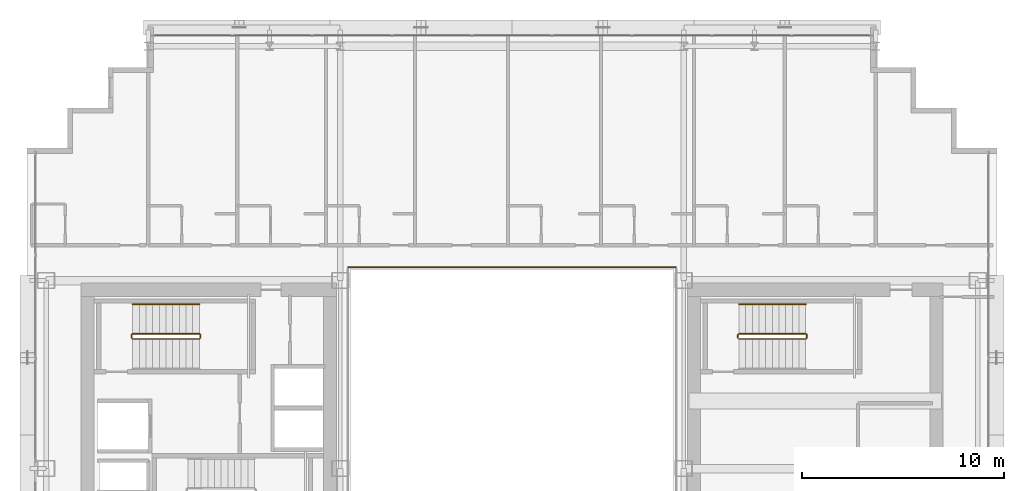
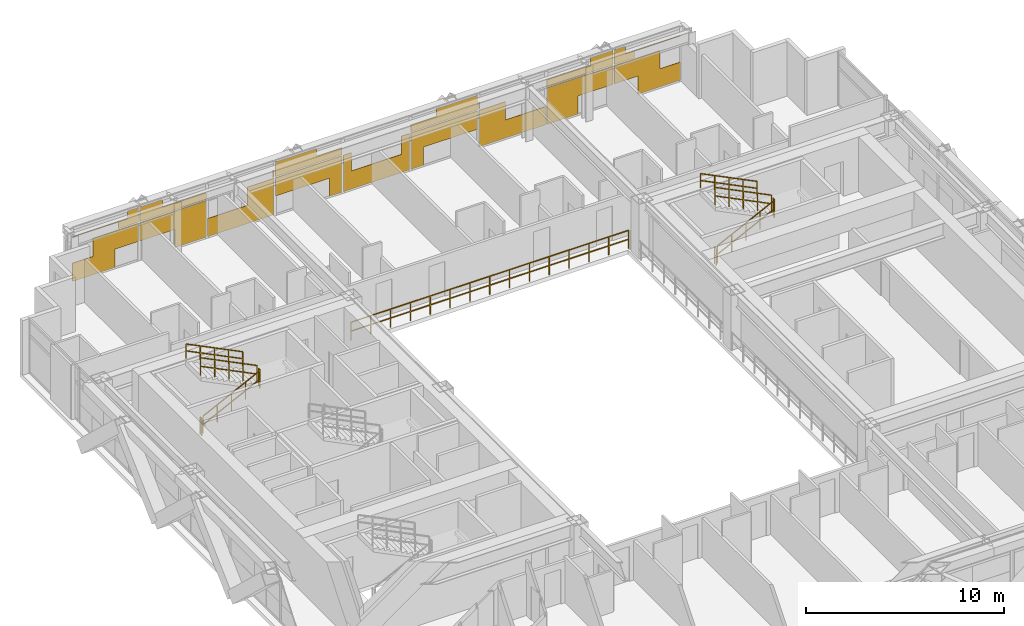
# One storey, part 36 of 36: 11 railings, 1 covering.
"""IFC4 building model written with IfcOpenShell, lengths in metres."""

import ifcopenshell
import ifcopenshell.guid

model = None  # the IFC model being written
_history = None  # IfcOwnerHistory: only IFC2X3 demands one
_inside = {}  # id of a spatial element -> (the spatial element, [elements in it])
_under = {}  # id of a project, library or spatial element -> (it, [spatial elements below it])
_declared = {}  # id of a project -> (the project, [libraries it declares])
_typed = {}  # id of a type object -> (the type object, [elements of that type])
_made_of = {}  # id of a material, layer set ... -> (it, [elements and type objects made of it])


def new_model(schema):
    """Start an empty IFC model of exactly this schema.

    Asked for "IFC4X3", IfcOpenShell would pick the latest addendum, in which some entities
    have other attributes; the version numbers below select the first issue.
    IFC2X3 requires an IfcOwnerHistory on every rooted entity: one is made here for all.
    """
    global model, _history
    if schema == "IFC4X3":
        model = ifcopenshell.file(schema_version=(4, 3, 0, 0))
    else:
        model = ifcopenshell.file(schema=schema)
    _inside.clear()
    _under.clear()
    _declared.clear()
    _typed.clear()
    _made_of.clear()
    _history = None
    if model.schema == "IFC2X3":
        org = make("IfcOrganization", Name="unknown")
        user = make(
            "IfcPersonAndOrganization",
            ThePerson=make("IfcPerson", FamilyName="unknown"),
            TheOrganization=org,
        )
        app = make(
            "IfcApplication",
            ApplicationDeveloper=org,
            Version="unknown",
            ApplicationFullName="unknown",
            ApplicationIdentifier="unknown",
        )
        _history = make(
            "IfcOwnerHistory",
            OwningUser=user,
            OwningApplication=app,
            ChangeAction="ADDED",
            CreationDate=0,
        )
    return model


def make(cls, **values):
    """One entity of the class cls with the attributes given. An attribute that is None is left unset."""
    return model.create_entity(
        cls, **{name: value for name, value in values.items() if value is not None}
    )


def rooted(cls, **values):
    """An entity with a GlobalId (a new one), such as an element, a storey or a relation."""
    return make(cls, GlobalId=ifcopenshell.guid.new(), OwnerHistory=_history, **values)


def si_unit(unit_type, name, prefix=None):
    """IfcSIUnit, for example si_unit("LENGTHUNIT", "METRE", prefix="MILLI")."""
    return make("IfcSIUnit", UnitType=unit_type, Prefix=prefix, Name=name)


def assignment(units):
    """IfcUnitAssignment: the units of a project."""
    return None if units is None else make("IfcUnitAssignment", Units=units)


def point(xyz):
    """IfcCartesianPoint."""
    return None if xyz is None else make("IfcCartesianPoint", Coordinates=xyz)


def direction(xyz):
    """IfcDirection."""
    return None if xyz is None else make("IfcDirection", DirectionRatios=xyz)


def frame(location, z_axis=None, x_axis=None):
    """IfcAxis2Placement3D, a coordinate frame: its origin and axes. An axis left out is left unset."""
    return make(
        "IfcAxis2Placement3D",
        Location=point(location),
        Axis=direction(z_axis),
        RefDirection=direction(x_axis),
    )


def frame_2d(location, x_axis=None):
    """IfcAxis2Placement2D, a coordinate frame in the plane: its origin and x axis."""
    return make(
        "IfcAxis2Placement2D", Location=point(location), RefDirection=direction(x_axis)
    )


def origin():
    """The frame at (0, 0, 0) with its axes left unset."""
    return frame((0.0, 0.0, 0.0))


def origin_2d():
    """The frame at (0, 0) in the plane with its x axis left unset."""
    return frame_2d((0.0, 0.0))


def place(relative_to, where):
    """IfcLocalPlacement: puts the frame where relative to a parent placement (None: the world)."""
    return make(
        "IfcLocalPlacement", PlacementRelTo=relative_to, RelativePlacement=where
    )


def context(
    kind, dimensions, precision=None, world=None, true_north=None, identifier=None
):
    """IfcGeometricRepresentationContext, for example the 3D "Model" context."""
    return make(
        "IfcGeometricRepresentationContext",
        ContextIdentifier=identifier,
        ContextType=kind,
        CoordinateSpaceDimension=dimensions,
        Precision=precision,
        WorldCoordinateSystem=world,
        TrueNorth=true_north,
    )


def subcontext(parent, identifier, kind, view, scale=None):
    """IfcGeometricRepresentationSubContext, for example "Body" below "Model"."""
    return make(
        "IfcGeometricRepresentationSubContext",
        ContextIdentifier=identifier,
        ContextType=kind,
        ParentContext=parent,
        TargetScale=scale,
        TargetView=view,
    )


def project(units=None, contexts=None):
    """IfcProject with its units and contexts."""
    return rooted(
        "IfcProject",
        Name="project",
        RepresentationContexts=contexts,
        UnitsInContext=assignment(units),
    )


def spatial(cls, under=None, at=None, **own):
    """A site, building, storey or space (cls), placed at a placement, below another one or the project."""
    s = rooted(cls, ObjectPlacement=at, **own)
    if under is not None:
        _under.setdefault(under.id(), (under, []))[1].append(s)
    return s


def profile(cls, at=None, kind="AREA", **sizes):
    """A parametric profile (cls). Its sizes go by their IFC names, for example OverallWidth=200.0."""
    return make(cls, ProfileType=kind, Position=at, **sizes)


def rectangle(**sizes):
    """IfcRectangleProfileDef."""
    return profile("IfcRectangleProfileDef", **sizes)


def extrude(swept, where, along, depth):
    """IfcExtrudedAreaSolid: the profile swept, set in the frame where, extruded along a direction by depth."""
    return make(
        "IfcExtrudedAreaSolid",
        SweptArea=swept,
        Position=where,
        ExtrudedDirection=direction(along),
        Depth=depth,
    )


def shape(context_of_items, identifier, shape_type, items):
    """IfcShapeRepresentation: the items that make up one representation, for example the "Body"."""
    return make(
        "IfcShapeRepresentation",
        ContextOfItems=context_of_items,
        RepresentationIdentifier=identifier,
        RepresentationType=shape_type,
        Items=items,
    )


def material(Name=None, Category=None):
    """IfcMaterial."""
    return make("IfcMaterial", Name=Name, Category=Category)


def layer(
    of_material, thickness, ventilated=None, Name=None, Category=None, Priority=None
):
    """IfcMaterialLayer: one layer of a wall or slab, of a material (None: an air gap)."""
    return make(
        "IfcMaterialLayer",
        Material=of_material,
        LayerThickness=thickness,
        IsVentilated=ventilated,
        Name=Name,
        Category=Category,
        Priority=Priority,
    )


def layer_set(layers, Name=None):
    """IfcMaterialLayerSet."""
    return make("IfcMaterialLayerSet", MaterialLayers=layers, LayerSetName=Name)


def made_of(thing, what):
    """Note that an element or type object is made of a material, layer set ...; save() writes the relation."""
    if what is not None:
        _made_of.setdefault(what.id(), (what, []))[1].append(thing)
    return thing


def type_object(cls, material=None, **own):
    """A type object (cls), such as IfcWallType, which elements share."""
    return made_of(rooted(cls, **own), material)


def element(
    cls,
    number,
    at=None,
    inside=None,
    cuts=None,
    type_object=None,
    material=None,
    context=None,
    identifier="Body",
    shape_type=None,
    held_by="IfcProductDefinitionShape",
    body=None,
    shapes=None,
    **own,
):
    """One element of the class cls, such as IfcWall. Its Tag is "e" and its number.

    at: its placement. inside: the storey or other place that contains it. cuts: it is an
    opening in that element (IfcRelVoidsElement). A single representation is given by context,
    identifier, shape_type and body (its items); several are given by shapes. held_by: the class
    of the entity that holds the representations. save() writes the other relations.
    """
    e = rooted(cls, Tag="e%d" % number, ObjectPlacement=at, **own)
    if body is not None:
        shapes = [shape(context, identifier, shape_type, body)]
    if shapes is not None:
        e.Representation = make(held_by, Representations=shapes)
    if inside is not None:
        _inside.setdefault(inside.id(), (inside, []))[1].append(e)
    if cuts is not None:
        rooted(
            "IfcRelVoidsElement", RelatingBuildingElement=cuts, RelatedOpeningElement=e
        )
    if type_object is not None:
        _typed.setdefault(type_object.id(), (type_object, []))[1].append(e)
    return made_of(e, material)


def aggregate(whole, parts):
    """IfcRelAggregates: a whole, such as a stair, and the parts it consists of."""
    return rooted("IfcRelAggregates", RelatingObject=whole, RelatedObjects=parts)


def save(model, path):
    """Write the relations noted so far, then the file.

    IfcRelAggregates (storeys below a building ...), IfcRelContainedInSpatialStructure (elements
    in a storey), IfcRelDefinesByType, IfcRelAssociatesMaterial and IfcRelDeclares: one each for
    every whole, place, type object, material and project.
    """
    for whole, parts in _under.values():
        aggregate(whole, parts)
    for where, things in _inside.values():
        rooted(
            "IfcRelContainedInSpatialStructure",
            RelatedElements=things,
            RelatingStructure=where,
        )
    for kind, things in _typed.values():
        rooted("IfcRelDefinesByType", RelatedObjects=things, RelatingType=kind)
    for what, things in _made_of.values():
        rooted("IfcRelAssociatesMaterial", RelatedObjects=things, RelatingMaterial=what)
    for by, libraries in _declared.values():
        rooted("IfcRelDeclares", RelatingContext=by, RelatedDefinitions=libraries)
    model.write(path)


model = new_model("IFC4")

# Units and contexts
model_context = context("Model", 3, precision=1e-05, world=origin(), true_north=direction((0.0, 1.0)))
body_context = subcontext(model_context, "Body", "Model", "MODEL_VIEW")
ifc_project = project(units=[si_unit("LENGTHUNIT", "METRE"), si_unit("AREAUNIT", "SQUARE_METRE"), si_unit("VOLUMEUNIT", "CUBIC_METRE"), si_unit("PLANEANGLEUNIT", "RADIAN"), si_unit("MASSUNIT", "GRAM", prefix="KILO")], contexts=[model_context])

# Site, building, storey
site_placement = place(None, origin())
site = spatial("IfcSite", under=ifc_project, at=site_placement, CompositionType="ELEMENT")
building_placement = place(site_placement, origin())
building = spatial("IfcBuilding", under=site, at=building_placement, Name="Ocotamira Hotel", CompositionType="ELEMENT")
storey_placement = place(building_placement, frame((0.0, 0.0, 133.199951171875)))
storey = spatial("IfcBuildingStorey", under=building, at=storey_placement, Name="L33", CompositionType="ELEMENT", Elevation=133.199951171875)

# Covering
ifc_material_1 = material(Name="Insulated pale-metal aluminium spandrel panel", Category="aluminium")
ifc_layer = layer(ifc_material_1, 0.044921875)
ifc_layer_set = layer_set([ifc_layer], Name="Insulated pale-metal aluminium spandrel panel")
covering_type = type_object("IfcCoveringType", Name="COV-INFILL-45", PredefinedType="CLADDING", material=ifc_layer_set)
covering_placement = place(storey_placement, origin())
element("IfcCovering", 1, at=covering_placement, inside=storey, type_object=covering_type, Name="L33 Curtain Wall Infill CW-3 CW-L33-N", PredefinedType="CLADDING", context=body_context, shape_type="SweptSolid", body=[
    extrude(rectangle(XDim=2.464111328125, YDim=0.044921875, at=origin_2d()), frame((15.512451171875, 49.580078125, 0.07568359375), z_axis=(0.0, 0.0, 1.0), x_axis=(1.0, 0.0, 0.0)), (0.0, 0.0, 1.0), 1.117919921875),
    extrude(rectangle(XDim=2.650146484375, YDim=0.044921875, at=origin_2d()), frame((16.7900390625, 49.580078125, 1.1943359375), z_axis=(0.0, 0.0, 1.0), x_axis=(1.0, 0.0, 0.0)), (0.0, 0.0, 1.0), 1.11767578125),
    extrude(rectangle(XDim=3.834716796875, YDim=0.044921875, at=origin_2d()), frame((16.19775390625, 49.580078125, 2.78271484375), z_axis=(0.0, 0.0, 1.0), x_axis=(1.0, 0.0, 0.0)), (0.0, 0.0, 1.0), 0.0302734375),
    extrude(rectangle(XDim=1.157958984375, YDim=0.044921875, at=origin_2d()), frame((17.5361328125, 49.580078125, 2.38818359375), z_axis=(0.0, 0.0, 1.0), x_axis=(1.0, 0.0, 0.0)), (0.0, 0.0, 1.0), 0.3935546875),
    extrude(rectangle(XDim=0.625732421875, YDim=0.044921875, at=origin_2d()), frame((17.80224609375, 49.580078125, 2.813720703125), z_axis=(0.0, 0.0, 1.0), x_axis=(1.0, 0.0, 0.0)), (0.0, 0.0, 1.0), 0.470703125),
    extrude(rectangle(XDim=3.87451171875, YDim=0.044921875, at=origin_2d()), frame((20.13330078125, 49.580078125, 1.1943359375), z_axis=(0.0, 0.0, 1.0), x_axis=(1.0, 0.0, 0.0)), (0.0, 0.0, 1.0), 1.11767578125),
    extrude(rectangle(XDim=1.815185546875, YDim=0.044921875, at=origin_2d()), frame((21.1630859375, 49.580078125, 0.07568359375), z_axis=(0.0, 0.0, 1.0), x_axis=(1.0, 0.0, 0.0)), (0.0, 0.0, 1.0), 1.117919921875),
    extrude(rectangle(XDim=3.87451171875, YDim=0.044921875, at=origin_2d()), frame((20.13330078125, 49.580078125, 2.387939453125), z_axis=(0.0, 0.0, 1.0), x_axis=(1.0, 0.0, 0.0)), (0.0, 0.0, 1.0), 0.4248046875),
    extrude(rectangle(XDim=1.314697265625, YDim=0.044921875, at=origin_2d()), frame((18.853515625, 49.580078125, 2.813720703125), z_axis=(0.0, 0.0, 1.0), x_axis=(1.0, 0.0, 0.0)), (0.0, 0.0, 1.0), 0.470703125),
    extrude(rectangle(XDim=3.87451171875, YDim=0.044921875, at=origin_2d()), frame((24.0888671875, 49.580078125, 0.07568359375), z_axis=(0.0, 0.0, 1.0), x_axis=(1.0, 0.0, 0.0)), (0.0, 0.0, 1.0), 1.117919921875),
    extrude(rectangle(XDim=1.561279296875, YDim=0.044921875, at=origin_2d()), frame((25.24560546875, 49.580078125, 1.1943359375), z_axis=(0.0, 0.0, 1.0), x_axis=(1.0, 0.0, 0.0)), (0.0, 0.0, 1.0), 1.11767578125),
    extrude(rectangle(XDim=0.069091796875, YDim=0.044921875, at=origin_2d()), frame((25.99169921875, 49.580078125, 2.387939453125), z_axis=(0.0, 0.0, 1.0), x_axis=(1.0, 0.0, 0.0)), (0.0, 0.0, 1.0), 0.4248046875),
    extrude(rectangle(XDim=3.87451171875, YDim=0.044921875, at=origin_2d()), frame((28.04443359375, 49.580078125, 1.1943359375), z_axis=(0.0, 0.0, 1.0), x_axis=(1.0, 0.0, 0.0)), (0.0, 0.0, 1.0), 1.11767578125),
    extrude(rectangle(XDim=0.726318359375, YDim=0.044921875, at=origin_2d()), frame((29.61865234375, 49.580078125, 0.07568359375), z_axis=(0.0, 0.0, 1.0), x_axis=(1.0, 0.0, 0.0)), (0.0, 0.0, 1.0), 1.117919921875),
    extrude(rectangle(XDim=3.87451171875, YDim=0.044921875, at=origin_2d()), frame((28.04443359375, 49.580078125, 2.387939453125), z_axis=(0.0, 0.0, 1.0), x_axis=(1.0, 0.0, 0.0)), (0.0, 0.0, 1.0), 0.4248046875),
    extrude(rectangle(XDim=2.403564453125, YDim=0.044921875, at=origin_2d()), frame((27.308837890625, 49.580078125, 2.813720703125), z_axis=(0.0, 0.0, 1.0), x_axis=(1.0, 0.0, 0.0)), (0.0, 0.0, 1.0), 0.470703125),
    extrude(rectangle(XDim=3.87451171875, YDim=0.044921875, at=origin_2d()), frame((32.0, 49.580078125, 0.07568359375), z_axis=(0.0, 0.0, 1.0), x_axis=(1.0, 0.0, 0.0)), (0.0, 0.0, 1.0), 1.117919921875),
    extrude(rectangle(XDim=0.472412109375, YDim=0.044921875, at=origin_2d()), frame((30.298828125, 49.580078125, 1.1943359375), z_axis=(0.0, 0.0, 1.0), x_axis=(1.0, 0.0, 0.0)), (0.0, 0.0, 1.0), 1.11767578125),
    extrude(rectangle(XDim=0.472412109375, YDim=0.044921875, at=origin_2d()), frame((33.701171875, 49.580078125, 1.1943359375), z_axis=(0.0, 0.0, 1.0), x_axis=(1.0, 0.0, 0.0)), (0.0, 0.0, 1.0), 1.11767578125),
    extrude(rectangle(XDim=0.726318359375, YDim=0.044921875, at=origin_2d()), frame((34.38134765625, 49.580078125, 0.07568359375), z_axis=(0.0, 0.0, 1.0), x_axis=(1.0, 0.0, 0.0)), (0.0, 0.0, 1.0), 1.117919921875),
    extrude(rectangle(XDim=3.87451171875, YDim=0.044921875, at=origin_2d()), frame((35.95556640625, 49.580078125, 1.1943359375), z_axis=(0.0, 0.0, 1.0), x_axis=(1.0, 0.0, 0.0)), (0.0, 0.0, 1.0), 1.11767578125),
    extrude(rectangle(XDim=3.87451171875, YDim=0.044921875, at=origin_2d()), frame((35.95556640625, 49.580078125, 2.387939453125), z_axis=(0.0, 0.0, 1.0), x_axis=(1.0, 0.0, 0.0)), (0.0, 0.0, 1.0), 0.4248046875),
    extrude(rectangle(XDim=2.403564453125, YDim=0.044921875, at=origin_2d()), frame((36.691162109375, 49.580078125, 2.813720703125), z_axis=(0.0, 0.0, 1.0), x_axis=(1.0, 0.0, 0.0)), (0.0, 0.0, 1.0), 0.470703125),
    extrude(rectangle(XDim=3.87451171875, YDim=0.044921875, at=origin_2d()), frame((39.9111328125, 49.580078125, 0.07568359375), z_axis=(0.0, 0.0, 1.0), x_axis=(1.0, 0.0, 0.0)), (0.0, 0.0, 1.0), 1.117919921875),
    extrude(rectangle(XDim=1.561279296875, YDim=0.044921875, at=origin_2d()), frame((38.75439453125, 49.580078125, 1.1943359375), z_axis=(0.0, 0.0, 1.0), x_axis=(1.0, 0.0, 0.0)), (0.0, 0.0, 1.0), 1.11767578125),
    extrude(rectangle(XDim=0.069091796875, YDim=0.044921875, at=origin_2d()), frame((38.00830078125, 49.580078125, 2.387939453125), z_axis=(0.0, 0.0, 1.0), x_axis=(1.0, 0.0, 0.0)), (0.0, 0.0, 1.0), 0.4248046875),
    extrude(rectangle(XDim=1.815185546875, YDim=0.044921875, at=origin_2d()), frame((42.8369140625, 49.580078125, 0.07568359375), z_axis=(0.0, 0.0, 1.0), x_axis=(1.0, 0.0, 0.0)), (0.0, 0.0, 1.0), 1.117919921875),
    extrude(rectangle(XDim=3.87451171875, YDim=0.044921875, at=origin_2d()), frame((43.86669921875, 49.580078125, 1.1943359375), z_axis=(0.0, 0.0, 1.0), x_axis=(1.0, 0.0, 0.0)), (0.0, 0.0, 1.0), 1.11767578125),
    extrude(rectangle(XDim=3.87451171875, YDim=0.044921875, at=origin_2d()), frame((43.86669921875, 49.580078125, 2.387939453125), z_axis=(0.0, 0.0, 1.0), x_axis=(1.0, 0.0, 0.0)), (0.0, 0.0, 1.0), 0.4248046875),
    extrude(rectangle(XDim=1.314697265625, YDim=0.044921875, at=origin_2d()), frame((45.146484375, 49.580078125, 2.813720703125), z_axis=(0.0, 0.0, 1.0), x_axis=(1.0, 0.0, 0.0)), (0.0, 0.0, 1.0), 0.470703125),
    extrude(rectangle(XDim=2.650146484375, YDim=0.044921875, at=origin_2d()), frame((47.2099609375, 49.580078125, 1.1943359375), z_axis=(0.0, 0.0, 1.0), x_axis=(1.0, 0.0, 0.0)), (0.0, 0.0, 1.0), 1.11767578125),
    extrude(rectangle(XDim=2.464111328125, YDim=0.044921875, at=origin_2d()), frame((48.487548828125, 49.580078125, 0.07568359375), z_axis=(0.0, 0.0, 1.0), x_axis=(1.0, 0.0, 0.0)), (0.0, 0.0, 1.0), 1.117919921875),
    extrude(rectangle(XDim=1.157958984375, YDim=0.044921875, at=origin_2d()), frame((46.4638671875, 49.580078125, 2.38818359375), z_axis=(0.0, 0.0, 1.0), x_axis=(1.0, 0.0, 0.0)), (0.0, 0.0, 1.0), 0.3935546875),
    extrude(rectangle(XDim=3.834716796875, YDim=0.044921875, at=origin_2d()), frame((47.80224609375, 49.580078125, 2.78271484375), z_axis=(0.0, 0.0, 1.0), x_axis=(1.0, 0.0, 0.0)), (0.0, 0.0, 1.0), 0.0302734375),
    extrude(rectangle(XDim=0.625732421875, YDim=0.044921875, at=origin_2d()), frame((46.19775390625, 49.580078125, 2.813720703125), z_axis=(0.0, 0.0, 1.0), x_axis=(1.0, 0.0, 0.0)), (0.0, 0.0, 1.0), 0.470703125),
])

# Railings
ifc_material_2 = material(Name="Painted steel stair guardrail", Category="steel")
railing_type_1 = type_object("IfcRailingType", Name="RL-EDGE-1150", PredefinedType="GUARDRAIL", material=ifc_material_2)
railing_1_placement = place(storey_placement, frame((40.10009765625, 38.1201171875, 0.0)))
element("IfcRailing", 2, at=railing_1_placement, inside=storey, type_object=railing_type_1, Name="L33 Central Atrium Edge Guardrail N", PredefinedType="GUARDRAIL", context=body_context, shape_type="SweptSolid", body=[
    extrude(rectangle(XDim=0.048095703125, YDim=0.048095703125, at=origin_2d()), frame((0.0, 0.0, 1.1259765625), z_axis=(-1.0, 0.0, 0.0), x_axis=(0.0, -1.0, 0.0)), (0.0, 0.0, 1.0), 16.2001953125),
    extrude(rectangle(XDim=0.048095703125, YDim=0.048095703125, at=origin_2d()), frame((0.0, 0.0, 0.574951171875), z_axis=(-1.0, 0.0, 0.0), x_axis=(0.0, -1.0, 0.0)), (0.0, 0.0, 1.0), 16.2001953125),
    extrude(rectangle(XDim=0.0419921875, YDim=0.0419921875, at=origin_2d()), origin(), (0.0, 0.0, 1.0), 1.101806640625),
    extrude(rectangle(XDim=0.0419921875, YDim=0.0419921875, at=origin_2d()), frame((-1.1572265625, 0.0, 0.0)), (0.0, 0.0, 1.0), 1.101806640625),
    extrude(rectangle(XDim=0.0419921875, YDim=0.0419921875, at=origin_2d()), frame((-2.314208984375, 0.0, 0.0)), (0.0, 0.0, 1.0), 1.101806640625),
    extrude(rectangle(XDim=0.0419921875, YDim=0.0419921875, at=origin_2d()), frame((-3.471435546875, 0.0, 0.0)), (0.0, 0.0, 1.0), 1.101806640625),
    extrude(rectangle(XDim=0.0419921875, YDim=0.0419921875, at=origin_2d()), frame((-4.628662109375, 0.0, 0.0)), (0.0, 0.0, 1.0), 1.101806640625),
    extrude(rectangle(XDim=0.0419921875, YDim=0.0419921875, at=origin_2d()), frame((-5.785888671875, 0.0, 0.0)), (0.0, 0.0, 1.0), 1.101806640625),
    extrude(rectangle(XDim=0.0419921875, YDim=0.0419921875, at=origin_2d()), frame((-6.94287109375, 0.0, 0.0)), (0.0, 0.0, 1.0), 1.101806640625),
    extrude(rectangle(XDim=0.0419921875, YDim=0.0419921875, at=origin_2d()), frame((-8.10009765625, 0.0, 0.0)), (0.0, 0.0, 1.0), 1.101806640625),
    extrude(rectangle(XDim=0.0419921875, YDim=0.0419921875, at=origin_2d()), frame((-9.25732421875, 0.0, 0.0)), (0.0, 0.0, 1.0), 1.101806640625),
    extrude(rectangle(XDim=0.0419921875, YDim=0.0419921875, at=origin_2d()), frame((-10.414306640625, 0.0, 0.0)), (0.0, 0.0, 1.0), 1.101806640625),
    extrude(rectangle(XDim=0.0419921875, YDim=0.0419921875, at=origin_2d()), frame((-11.571533203125, 0.0, 0.0)), (0.0, 0.0, 1.0), 1.101806640625),
    extrude(rectangle(XDim=0.0419921875, YDim=0.0419921875, at=origin_2d()), frame((-12.728759765625, 0.0, 0.0)), (0.0, 0.0, 1.0), 1.101806640625),
    extrude(rectangle(XDim=0.0419921875, YDim=0.0419921875, at=origin_2d()), frame((-13.885986328125, 0.0, 0.0)), (0.0, 0.0, 1.0), 1.101806640625),
    extrude(rectangle(XDim=0.0419921875, YDim=0.0419921875, at=origin_2d()), frame((-15.04296875, 0.0, 0.0)), (0.0, 0.0, 1.0), 1.101806640625),
    extrude(rectangle(XDim=0.0419921875, YDim=0.0419921875, at=origin_2d()), frame((-16.2001953125, 0.0, 0.0)), (0.0, 0.0, 1.0), 1.101806640625),
])
ifc_material_3 = material(Name="Brushed stainless steel handrail", Category="steel")
railing_type_2 = type_object("IfcRailingType", Name="RL-HAND-900", PredefinedType="HANDRAIL", material=ifc_material_3)
for number, where, name in (
    (3, (16.530029296875, 36.280029296875, 2.12744140625), "L33 ST-2 stair handrail 2"),
    (4, (46.530029296875, 36.280029296875, 2.12744140625), "L33 ST-4 stair handrail 2"),
):
    element("IfcRailing", number, at=place(storey_placement, frame(where)), inside=storey, type_object=railing_type_2, Name=name, PredefinedType="HANDRAIL", context=body_context, shape_type="SweptSolid", body=[
        extrude(rectangle(XDim=0.048095703125, YDim=0.048095703125, at=origin_2d()), frame((0.0, 0.0, 0.8759765625), z_axis=(-0.895920123917, 0.0, 0.444215186098), x_axis=(0.0, -1.0, 0.0)), (0.0, 0.0, 1.0), 3.683349609375),
        extrude(rectangle(XDim=0.048095703125, YDim=0.048095703125, at=origin_2d()), frame((0.0, 0.0, 0.449951171875), z_axis=(-0.895920123917, 0.0, 0.444215186098), x_axis=(0.0, -1.0, 0.0)), (0.0, 0.0, 1.0), 3.683349609375),
        extrude(rectangle(XDim=0.0419921875, YDim=0.0419921875, at=origin_2d()), origin(), (0.0, 0.0, 1.0), 0.851806640625),
        extrude(rectangle(XDim=0.0419921875, YDim=0.0419921875, at=origin_2d()), frame((-0.824951171875, 0.0, 0.4091796875)), (0.0, 0.0, 1.0), 0.851806640625),
        extrude(rectangle(XDim=0.0419921875, YDim=0.0419921875, at=origin_2d()), frame((-1.64990234375, 0.0, 0.818115234375)), (0.0, 0.0, 1.0), 0.851806640625),
        extrude(rectangle(XDim=0.0419921875, YDim=0.0419921875, at=origin_2d()), frame((-2.47509765625, 0.0, 1.22705078125)), (0.0, 0.0, 1.0), 0.851806640625),
        extrude(rectangle(XDim=0.0419921875, YDim=0.0419921875, at=origin_2d()), frame((-3.300048828125, 0.0, 1.63623046875)), (0.0, 0.0, 1.0), 0.851806640625),
    ])
railing_type_3 = type_object("IfcRailingType", Name="RL-STAIR-1100", PredefinedType="GUARDRAIL", material=ifc_material_2)
railing_2_placement = place(storey_placement, frame((13.22998046875, 34.56005859375, 0.16357421875)))
element("IfcRailing", 5, at=railing_2_placement, inside=storey, type_object=railing_type_3, Name="L33 ST-2 stair guard 1", PredefinedType="GUARDRAIL", context=body_context, shape_type="SweptSolid", body=[
    extrude(rectangle(XDim=0.048095703125, YDim=0.048095703125, at=origin_2d()), frame((0.0, 0.0, 1.076171875), z_axis=(0.895893744519, 0.0, 0.4442683857), x_axis=(0.0, 1.0, 0.0)), (0.0, 0.0, 1.0), 3.68359375),
    extrude(rectangle(XDim=0.048095703125, YDim=0.048095703125, at=origin_2d()), frame((0.0, 0.0, 0.550048828125), z_axis=(0.895893744519, 0.0, 0.4442683857), x_axis=(0.0, 1.0, 0.0)), (0.0, 0.0, 1.0), 3.68359375),
    extrude(rectangle(XDim=0.0419921875, YDim=0.0419921875, at=origin_2d()), origin(), (0.0, 0.0, 1.0), 1.052001953125),
    extrude(rectangle(XDim=0.0419921875, YDim=0.0419921875, at=origin_2d()), frame((0.824951171875, 0.0, 0.4091796875)), (0.0, 0.0, 1.0), 1.052001953125),
    extrude(rectangle(XDim=0.0419921875, YDim=0.0419921875, at=origin_2d()), frame((1.64990234375, 0.0, 0.818359375)), (0.0, 0.0, 1.0), 1.052001953125),
    extrude(rectangle(XDim=0.0419921875, YDim=0.0419921875, at=origin_2d()), frame((2.47509765625, 0.0, 1.227294921875)), (0.0, 0.0, 1.0), 1.052001953125),
    extrude(rectangle(XDim=0.0419921875, YDim=0.0419921875, at=origin_2d()), frame((3.300048828125, 0.0, 1.636474609375)), (0.0, 0.0, 1.0), 1.052001953125),
])
railing_3_placement = place(storey_placement, frame((16.580078125, 34.610107421875, 1.800048828125)))
element("IfcRailing", 6, at=railing_3_placement, inside=storey, type_object=railing_type_3, Name="L33 ST-2 stair guard 2", PredefinedType="GUARDRAIL", context=body_context, shape_type="SweptSolid", body=[
    extrude(rectangle(XDim=0.048095703125, YDim=0.048095703125, at=origin_2d()), frame((0.0, 0.0, 1.076171875), z_axis=(0.0, 1.0, 0.0), x_axis=(-1.0, 0.0, 0.0)), (0.0, 0.0, 1.0), 0.159912109375),
    extrude(rectangle(XDim=0.048095703125, YDim=0.048095703125, at=origin_2d()), frame((0.0, 0.0, 0.550048828125), z_axis=(0.0, 1.0, 0.0), x_axis=(-1.0, 0.0, 0.0)), (0.0, 0.0, 1.0), 0.159912109375),
    extrude(rectangle(XDim=0.0419921875, YDim=0.0419921875, at=origin_2d()), origin(), (0.0, 0.0, 1.0), 1.052001953125),
    extrude(rectangle(XDim=0.0419921875, YDim=0.0419921875, at=origin_2d()), frame((0.0, 0.159912109375, 0.0)), (0.0, 0.0, 1.0), 1.052001953125),
])
railing_4_placement = place(storey_placement, frame((16.530029296875, 34.820068359375, 1.963623046875)))
element("IfcRailing", 7, at=railing_4_placement, inside=storey, type_object=railing_type_3, Name="L33 ST-2 stair guard 3", PredefinedType="GUARDRAIL", context=body_context, shape_type="SweptSolid", body=[
    extrude(rectangle(XDim=0.048095703125, YDim=0.048095703125, at=origin_2d()), frame((0.0, 0.0, 1.076171875), z_axis=(-0.895893744519, 0.0, 0.4442683857), x_axis=(0.0, -1.0, 0.0)), (0.0, 0.0, 1.0), 3.68359375),
    extrude(rectangle(XDim=0.048095703125, YDim=0.048095703125, at=origin_2d()), frame((0.0, 0.0, 0.550048828125), z_axis=(-0.895893744519, 0.0, 0.4442683857), x_axis=(0.0, -1.0, 0.0)), (0.0, 0.0, 1.0), 3.68359375),
    extrude(rectangle(XDim=0.0419921875, YDim=0.0419921875, at=origin_2d()), origin(), (0.0, 0.0, 1.0), 1.052001953125),
    extrude(rectangle(XDim=0.0419921875, YDim=0.0419921875, at=origin_2d()), frame((-0.824951171875, 0.0, 0.4091796875)), (0.0, 0.0, 1.0), 1.052001953125),
    extrude(rectangle(XDim=0.0419921875, YDim=0.0419921875, at=origin_2d()), frame((-1.64990234375, 0.0, 0.818359375)), (0.0, 0.0, 1.0), 1.052001953125),
    extrude(rectangle(XDim=0.0419921875, YDim=0.0419921875, at=origin_2d()), frame((-2.47509765625, 0.0, 1.227294921875)), (0.0, 0.0, 1.0), 1.052001953125),
    extrude(rectangle(XDim=0.0419921875, YDim=0.0419921875, at=origin_2d()), frame((-3.300048828125, 0.0, 1.636474609375)), (0.0, 0.0, 1.0), 1.052001953125),
])
railing_5_placement = place(storey_placement, frame((13.179931640625, 34.610107421875, 0.0)))
element("IfcRailing", 8, at=railing_5_placement, inside=storey, type_object=railing_type_3, Name="L33 ST-2 stair guard 4", PredefinedType="GUARDRAIL", context=body_context, shape_type="SweptSolid", body=[
    extrude(rectangle(XDim=0.048095703125, YDim=0.048095703125, at=origin_2d()), frame((0.0, 0.0, 1.076171875), z_axis=(0.0, 1.0, 0.0), x_axis=(-1.0, 0.0, 0.0)), (0.0, 0.0, 1.0), 0.159912109375),
    extrude(rectangle(XDim=0.048095703125, YDim=0.048095703125, at=origin_2d()), frame((0.0, 0.0, 0.550048828125), z_axis=(0.0, 1.0, 0.0), x_axis=(-1.0, 0.0, 0.0)), (0.0, 0.0, 1.0), 0.159912109375),
    extrude(rectangle(XDim=0.0419921875, YDim=0.0419921875, at=origin_2d()), origin(), (0.0, 0.0, 1.0), 1.052001953125),
    extrude(rectangle(XDim=0.0419921875, YDim=0.0419921875, at=origin_2d()), frame((0.0, 0.159912109375, 0.0)), (0.0, 0.0, 1.0), 1.052001953125),
])
railing_6_placement = place(storey_placement, frame((43.22998046875, 34.56005859375, 0.16357421875)))
element("IfcRailing", 9, at=railing_6_placement, inside=storey, type_object=railing_type_3, Name="L33 ST-4 stair guard 1", PredefinedType="GUARDRAIL", context=body_context, shape_type="SweptSolid", body=[
    extrude(rectangle(XDim=0.048095703125, YDim=0.048095703125, at=origin_2d()), frame((0.0, 0.0, 1.076171875), z_axis=(0.895893744519, 0.0, 0.4442683857), x_axis=(0.0, 1.0, 0.0)), (0.0, 0.0, 1.0), 3.68359375),
    extrude(rectangle(XDim=0.048095703125, YDim=0.048095703125, at=origin_2d()), frame((0.0, 0.0, 0.550048828125), z_axis=(0.895893744519, 0.0, 0.4442683857), x_axis=(0.0, 1.0, 0.0)), (0.0, 0.0, 1.0), 3.68359375),
    extrude(rectangle(XDim=0.0419921875, YDim=0.0419921875, at=origin_2d()), origin(), (0.0, 0.0, 1.0), 1.052001953125),
    extrude(rectangle(XDim=0.0419921875, YDim=0.0419921875, at=origin_2d()), frame((0.824951171875, 0.0, 0.4091796875)), (0.0, 0.0, 1.0), 1.052001953125),
    extrude(rectangle(XDim=0.0419921875, YDim=0.0419921875, at=origin_2d()), frame((1.64990234375, 0.0, 0.818359375)), (0.0, 0.0, 1.0), 1.052001953125),
    extrude(rectangle(XDim=0.0419921875, YDim=0.0419921875, at=origin_2d()), frame((2.47509765625, 0.0, 1.227294921875)), (0.0, 0.0, 1.0), 1.052001953125),
    extrude(rectangle(XDim=0.0419921875, YDim=0.0419921875, at=origin_2d()), frame((3.300048828125, 0.0, 1.636474609375)), (0.0, 0.0, 1.0), 1.052001953125),
])
railing_7_placement = place(storey_placement, frame((46.580078125, 34.610107421875, 1.800048828125)))
element("IfcRailing", 10, at=railing_7_placement, inside=storey, type_object=railing_type_3, Name="L33 ST-4 stair guard 2", PredefinedType="GUARDRAIL", context=body_context, shape_type="SweptSolid", body=[
    extrude(rectangle(XDim=0.048095703125, YDim=0.048095703125, at=origin_2d()), frame((0.0, 0.0, 1.076171875), z_axis=(0.0, 1.0, 0.0), x_axis=(-1.0, 0.0, 0.0)), (0.0, 0.0, 1.0), 0.159912109375),
    extrude(rectangle(XDim=0.048095703125, YDim=0.048095703125, at=origin_2d()), frame((0.0, 0.0, 0.550048828125), z_axis=(0.0, 1.0, 0.0), x_axis=(-1.0, 0.0, 0.0)), (0.0, 0.0, 1.0), 0.159912109375),
    extrude(rectangle(XDim=0.0419921875, YDim=0.0419921875, at=origin_2d()), origin(), (0.0, 0.0, 1.0), 1.052001953125),
    extrude(rectangle(XDim=0.0419921875, YDim=0.0419921875, at=origin_2d()), frame((0.0, 0.159912109375, 0.0)), (0.0, 0.0, 1.0), 1.052001953125),
])
railing_8_placement = place(storey_placement, frame((46.530029296875, 34.820068359375, 1.963623046875)))
element("IfcRailing", 11, at=railing_8_placement, inside=storey, type_object=railing_type_3, Name="L33 ST-4 stair guard 3", PredefinedType="GUARDRAIL", context=body_context, shape_type="SweptSolid", body=[
    extrude(rectangle(XDim=0.048095703125, YDim=0.048095703125, at=origin_2d()), frame((0.0, 0.0, 1.076171875), z_axis=(-0.895893744519, 0.0, 0.4442683857), x_axis=(0.0, -1.0, 0.0)), (0.0, 0.0, 1.0), 3.68359375),
    extrude(rectangle(XDim=0.048095703125, YDim=0.048095703125, at=origin_2d()), frame((0.0, 0.0, 0.550048828125), z_axis=(-0.895893744519, 0.0, 0.4442683857), x_axis=(0.0, -1.0, 0.0)), (0.0, 0.0, 1.0), 3.68359375),
    extrude(rectangle(XDim=0.0419921875, YDim=0.0419921875, at=origin_2d()), origin(), (0.0, 0.0, 1.0), 1.052001953125),
    extrude(rectangle(XDim=0.0419921875, YDim=0.0419921875, at=origin_2d()), frame((-0.824951171875, 0.0, 0.4091796875)), (0.0, 0.0, 1.0), 1.052001953125),
    extrude(rectangle(XDim=0.0419921875, YDim=0.0419921875, at=origin_2d()), frame((-1.64990234375, 0.0, 0.818359375)), (0.0, 0.0, 1.0), 1.052001953125),
    extrude(rectangle(XDim=0.0419921875, YDim=0.0419921875, at=origin_2d()), frame((-2.47509765625, 0.0, 1.227294921875)), (0.0, 0.0, 1.0), 1.052001953125),
    extrude(rectangle(XDim=0.0419921875, YDim=0.0419921875, at=origin_2d()), frame((-3.300048828125, 0.0, 1.636474609375)), (0.0, 0.0, 1.0), 1.052001953125),
])
railing_9_placement = place(storey_placement, frame((43.179931640625, 34.610107421875, 0.0)))
element("IfcRailing", 12, at=railing_9_placement, inside=storey, type_object=railing_type_3, Name="L33 ST-4 stair guard 4", PredefinedType="GUARDRAIL", context=body_context, shape_type="SweptSolid", body=[
    extrude(rectangle(XDim=0.048095703125, YDim=0.048095703125, at=origin_2d()), frame((0.0, 0.0, 1.076171875), z_axis=(0.0, 1.0, 0.0), x_axis=(-1.0, 0.0, 0.0)), (0.0, 0.0, 1.0), 0.159912109375),
    extrude(rectangle(XDim=0.048095703125, YDim=0.048095703125, at=origin_2d()), frame((0.0, 0.0, 0.550048828125), z_axis=(0.0, 1.0, 0.0), x_axis=(-1.0, 0.0, 0.0)), (0.0, 0.0, 1.0), 0.159912109375),
    extrude(rectangle(XDim=0.0419921875, YDim=0.0419921875, at=origin_2d()), origin(), (0.0, 0.0, 1.0), 1.052001953125),
    extrude(rectangle(XDim=0.0419921875, YDim=0.0419921875, at=origin_2d()), frame((0.0, 0.159912109375, 0.0)), (0.0, 0.0, 1.0), 1.052001953125),
])

save(model, "model.ifc")
